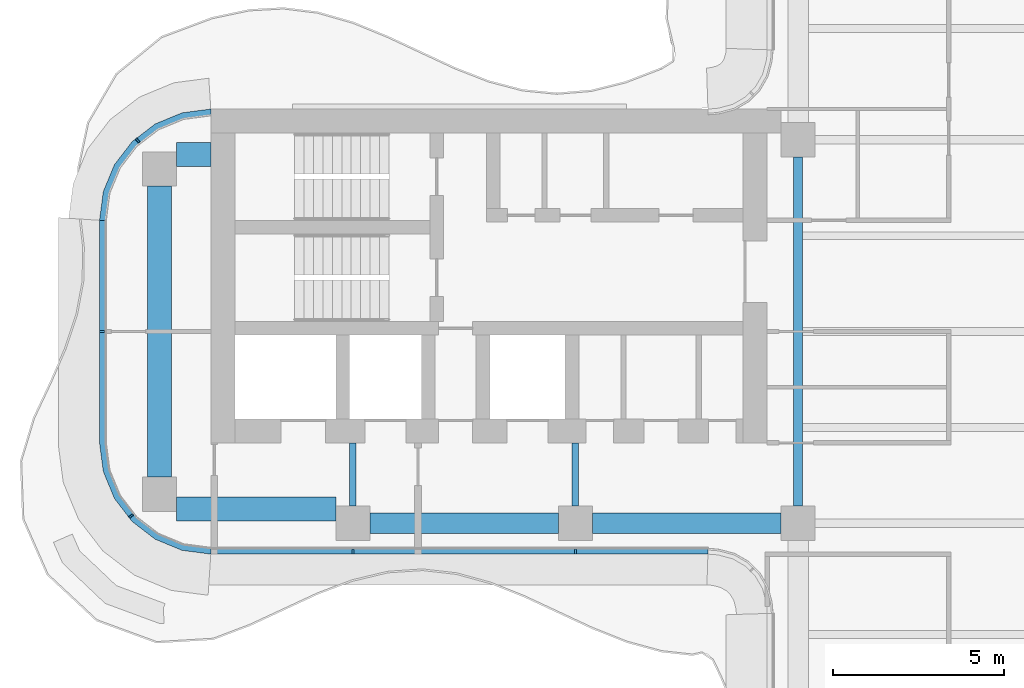
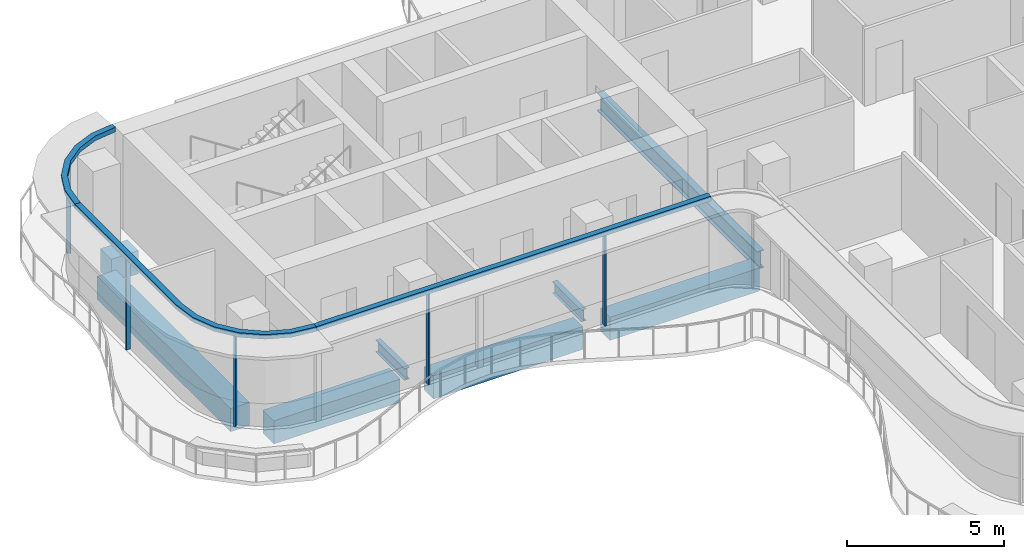
# One storey, part 3 of 16: 8 beams, 8 members, 3 elements without a shape of their own.
"""IFC4 building model written with IfcOpenShell, lengths in metres."""

from ifc_helpers import new_model, si_unit, direction, frame, origin, origin_2d, place, context, subcontext, project, spatial, polyline, rectangle, i_section, outline, extrude, source, transform, mapped, material, layer, layer_set, material_profile, profile_set, type_object, element, aggregate, save


model = new_model("IFC4")

# Units and contexts
model_context = context("Model", 3, precision=1e-05, world=origin(), true_north=direction((0.0, 1.0)))
body_context = subcontext(model_context, "Body", "Model", "MODEL_VIEW")
ifc_project = project(units=[si_unit("LENGTHUNIT", "METRE"), si_unit("AREAUNIT", "SQUARE_METRE"), si_unit("VOLUMEUNIT", "CUBIC_METRE"), si_unit("PLANEANGLEUNIT", "RADIAN"), si_unit("MASSUNIT", "GRAM", prefix="KILO")], contexts=[model_context])

# Site, building, storey
site_placement = place(None, origin())
site = spatial("IfcSite", under=ifc_project, at=site_placement, CompositionType="ELEMENT")
building_placement = place(site_placement, origin())
building = spatial("IfcBuilding", under=site, at=building_placement, Name="Trellis Farm Tower", CompositionType="ELEMENT")
storey_placement = place(building_placement, frame((0.0, 0.0, 291.10009765625)))
storey = spatial("IfcBuildingStorey", under=building, at=storey_placement, Name="L65", CompositionType="ELEMENT", Elevation=291.10009765625)

# Beams
ifc_material_1 = material(Name="Steel S355", Category="steel")
ifc_material_profile_1 = material_profile(ifc_material_1, i_section(OverallWidth=0.253662109375, OverallDepth=0.68359375, WebThickness=0.012451171875, FlangeThickness=0.021728515625, FilletRadius=0.01513671875, at=origin_2d()), Name="UB 686x254x140")
ifc_profile_set_1 = profile_set([ifc_material_profile_1], Name="Steel S355")
beam_type_1 = type_object("IfcBeamType", Name="UB 686x254x140", PredefinedType="BEAM", material=ifc_profile_set_1)
shared_shape_1 = source(origin(), body_context, "Body", "SweptSolid", [
    extrude(i_section(OverallWidth=0.253662109375, OverallDepth=0.68359375, WebThickness=0.012451171875, FlangeThickness=0.021728515625, FilletRadius=0.01513671875, at=origin_2d()), origin(), (0.0, 0.0, 1.0), 10.2001953125),
])
beam_1_placement = place(storey_placement, frame((-5.60009765625, -5.10009765625, -0.541748046875), z_axis=(0.0, 1.0, 0.0), x_axis=(-1.0, 0.0, 0.0)))
element("IfcBeam", 1, at=beam_1_placement, inside=storey, type_object=beam_type_1, Name="Girder", PredefinedType="BEAM", context=body_context, shape_type="MappedRepresentation", body=[
    mapped(shared_shape_1, transform((0.0, 0.0, 0.0))),
])
ifc_material_profile_2 = material_profile(ifc_material_1, i_section(OverallWidth=0.1904296875, OverallDepth=0.45703125, WebThickness=0.009033203125, FlangeThickness=0.014404296875, FilletRadius=0.01025390625, at=origin_2d()), Name="UB 457x191x74")
ifc_profile_set_2 = profile_set([ifc_material_profile_2], Name="Steel S355")
beam_type_2 = type_object("IfcBeamType", Name="UB 457x191x74", PredefinedType="BEAM", material=ifc_profile_set_2)
shared_shape_2 = source(origin(), body_context, "Body", "SweptSolid", [
    extrude(i_section(OverallWidth=0.1904296875, OverallDepth=0.45703125, WebThickness=0.009033203125, FlangeThickness=0.014404296875, FilletRadius=0.01025390625, at=origin_2d()), origin(), (0.0, 0.0, 1.0), 1.85009765625),
])
for number, where, z_axis, x_axis, name in (
    (2, (-18.60009765625, -5.10009765625, -0.4287109375), (0.0, 1.0, 0.0), (-1.0, 0.0, 0.0), "Girder"),
    (3, (-12.10009765625, -5.10009765625, -0.4287109375), (0.0, 1.0, 0.0), (-1.0, 0.0, 0.0), "Girder"),
):
    element("IfcBeam", number, at=place(storey_placement, frame(where, z_axis=z_axis, x_axis=x_axis)), inside=storey, type_object=beam_type_2, Name=name, PredefinedType="BEAM", context=body_context, shape_type="MappedRepresentation", body=[
        mapped(shared_shape_2, transform((0.0, 0.0, 0.0))),
    ])
ifc_material_2 = material(Name="Concrete C60/75", Category="concrete")
ifc_material_profile_3 = material_profile(ifc_material_2, rectangle(XDim=0.60009765625, YDim=0.89990234375, at=origin_2d()), Name="RC spandrel beam 600x900 C60/75")
ifc_profile_set_3 = profile_set([ifc_material_profile_3], Name="Concrete C60/75")
beam_type_3 = type_object("IfcBeamType", Name="RC spandrel beam 600x900 C60/75", PredefinedType="SPANDREL", material=ifc_profile_set_3)
shared_shape_3 = source(origin(), body_context, "Body", "SweptSolid", [
    extrude(rectangle(XDim=0.60009765625, YDim=0.89990234375, at=origin_2d()), origin(), (0.0, 0.0, 1.0), 5.5),
])
for number, where, z_axis, x_axis, name in (
    (4, (-18.10009765625, -5.60009765625, -0.650146484375), (1.0, 0.0, 0.0), (0.0, 1.0, 0.0), "Girder"),
    (5, (-11.60009765625, -5.60009765625, -0.650146484375), (1.0, 0.0, 0.0), (0.0, 1.0, 0.0), "Girder"),
):
    element("IfcBeam", number, at=place(storey_placement, frame(where, z_axis=z_axis, x_axis=x_axis)), inside=storey, type_object=beam_type_3, Name=name, PredefinedType="SPANDREL", context=body_context, shape_type="MappedRepresentation", body=[
        mapped(shared_shape_3, transform((0.0, 0.0, 0.0))),
    ])
ifc_material_profile_4 = material_profile(ifc_material_2, rectangle(XDim=0.699951171875, YDim=0.89990234375, at=origin_2d()), Name="RC spandrel beam 700x900 C60/75")
ifc_profile_set_4 = profile_set([ifc_material_profile_4], Name="Concrete C60/75")
beam_type_4 = type_object("IfcBeamType", Name="RC spandrel beam 700x900 C60/75", PredefinedType="SPANDREL", material=ifc_profile_set_4)
shared_shape_4 = source(origin(), body_context, "Body", "SweptSolid", [
    extrude(rectangle(XDim=0.699951171875, YDim=0.89990234375, at=origin_2d()), origin(), (0.0, 0.0, 1.0), 1.0),
])
beam_2_placement = place(storey_placement, frame((-23.75, 5.175048828125, -0.650146484375), z_axis=(1.0, 0.0, 0.0), x_axis=(0.0, 1.0, 0.0)))
element("IfcBeam", 6, at=beam_2_placement, inside=storey, type_object=beam_type_4, Name="Girder", PredefinedType="SPANDREL", context=body_context, shape_type="MappedRepresentation", body=[
    mapped(shared_shape_4, transform((0.0, 0.0, 0.0))),
])
shared_shape_5 = source(origin(), body_context, "Body", "SweptSolid", [
    extrude(rectangle(XDim=0.699951171875, YDim=0.89990234375, at=origin_2d()), origin(), (0.0, 0.0, 1.0), 4.64990234375),
])
beam_3_placement = place(storey_placement, frame((-23.75, -5.175048828125, -0.650146484375), z_axis=(1.0, 0.0, 0.0), x_axis=(0.0, 1.0, 0.0)))
element("IfcBeam", 7, at=beam_3_placement, inside=storey, type_object=beam_type_4, Name="Girder", PredefinedType="SPANDREL", context=body_context, shape_type="MappedRepresentation", body=[
    mapped(shared_shape_5, transform((0.0, 0.0, 0.0))),
])
shared_shape_6 = source(origin(), body_context, "Body", "SweptSolid", [
    extrude(rectangle(XDim=0.699951171875, YDim=0.89990234375, at=origin_2d()), origin(), (0.0, 0.0, 1.0), 8.5),
])
beam_4_placement = place(storey_placement, frame((-24.25, -4.25, -0.650146484375), z_axis=(0.0, 1.0, 0.0), x_axis=(-1.0, 0.0, 0.0)))
element("IfcBeam", 8, at=beam_4_placement, inside=storey, type_object=beam_type_4, Name="Girder", PredefinedType="SPANDREL", context=body_context, shape_type="MappedRepresentation", body=[
    mapped(shared_shape_6, transform((0.0, 0.0, 0.0))),
])

# Curtain wall, members
ifc_material_3 = material(Name="Aluminium and glass curtain wall", Category="aluminium")
ifc_layer_1 = layer(ifc_material_3, 0.18994140625)
ifc_layer_set_1 = layer_set([ifc_layer_1], Name="RIBBON CURTAIN WALL CW1")
curtain_wall_type = type_object("IfcCurtainWallType", Name="RIBBON CURTAIN WALL CW1", PredefinedType="NOTDEFINED", material=ifc_layer_set_1)
placement_1 = place(storey_placement, origin())
curtain_wall_1 = element("IfcCurtainWall", 9, at=placement_1, inside=storey, type_object=curtain_wall_type, Name="CW1 001", PredefinedType="NOTDEFINED")
ifc_material_4 = material(Name="Aluminium extrusion 6063-T6", Category="aluminium")
ifc_material_profile_5 = material_profile(ifc_material_4, rectangle(XDim=0.06005859375, YDim=0.14990234375, at=origin_2d()), Name="MULLION 60x150")
ifc_profile_set_5 = profile_set([ifc_material_profile_5], Name="Aluminium extrusion 6063-T6")
member_type_1 = type_object("IfcMemberType", Name="CW1 MULLION 60x150", PredefinedType="MULLION", material=ifc_profile_set_5)
shared_shape_7 = source(origin(), body_context, "Body", "SweptSolid", [
    extrude(rectangle(XDim=0.06005859375, YDim=0.14990234375, at=origin_2d()), origin(), (0.0, 0.0, 1.0), 3.52001953125),
])
member_1_placement = place(storey_placement, frame((-18.60009765625, -6.425048828125, 0.0), z_axis=(0.0, 0.0, 1.0), x_axis=(1.0, 0.0, 0.0)))
member_1 = element("IfcMember", 10, at=member_1_placement, type_object=member_type_1, Name="MU1 001-01", PredefinedType="MULLION", context=body_context, shape_type="MappedRepresentation", body=[
    mapped(shared_shape_7, transform((0.0, 0.0, 0.0))),
])
member_2_placement = place(storey_placement, frame((-12.10009765625, -6.425048828125, 0.0), z_axis=(0.0, 0.0, 1.0), x_axis=(1.0, 0.0, 0.0)))
member_2 = element("IfcMember", 11, at=member_2_placement, type_object=member_type_1, Name="MU1 001-02", PredefinedType="MULLION", context=body_context, shape_type="MappedRepresentation", body=[
    mapped(shared_shape_7, transform((0.0, 0.0, 0.0))),
])

# Curtain wall, member
curtain_wall_2 = element("IfcCurtainWall", 12, at=placement_1, inside=storey, type_object=curtain_wall_type, Name="CW1 012", PredefinedType="NOTDEFINED")
member_3_placement = place(storey_placement, frame((-24.885498046875, 5.578369140625, 0.0), z_axis=(0.0, 0.0, 1.0), x_axis=(-0.793353340291, -0.608761429009, 0.0)))
member_3 = element("IfcMember", 13, at=member_3_placement, type_object=member_type_1, Name="MU1 012-01", PredefinedType="MULLION", context=body_context, shape_type="MappedRepresentation", body=[
    mapped(shared_shape_7, transform((0.0, 0.0, 0.0))),
])

# Curtain wall, members
curtain_wall_3 = element("IfcCurtainWall", 14, at=placement_1, inside=storey, type_object=curtain_wall_type, Name="CW1 013", PredefinedType="NOTDEFINED")
member_4_placement = place(storey_placement, frame((-25.925048828125, 0.0, 0.0), z_axis=(0.0, 0.0, 1.0), x_axis=(0.0, -1.0, 0.0)))
member_4 = element("IfcMember", 15, at=member_4_placement, type_object=member_type_1, Name="MU1 013-01", PredefinedType="MULLION", context=body_context, shape_type="MappedRepresentation", body=[
    mapped(shared_shape_7, transform((0.0, 0.0, 0.0))),
])
member_5_placement = place(storey_placement, frame((-25.078369140625, -5.385498046875, 0.0), z_axis=(0.0, 0.0, 1.0), x_axis=(0.608761429009, -0.793353340291, 0.0)))
member_5 = element("IfcMember", 16, at=member_5_placement, type_object=member_type_1, Name="MU1 013-02", PredefinedType="MULLION", context=body_context, shape_type="MappedRepresentation", body=[
    mapped(shared_shape_7, transform((0.0, 0.0, 0.0))),
])

# Member
ifc_layer_2 = layer(ifc_material_4, 0.199951171875)
ifc_layer_set_2 = layer_set([ifc_layer_2], Name="Aluminium extrusion 6063-T6")
member_type_2 = type_object("IfcMemberType", Name="CW1 TRANSOM 200x180", PredefinedType="USERDEFINED", material=ifc_layer_set_2)
shared_shape_8 = source(origin(), body_context, "Body", "SweptSolid", [
    extrude(outline(polyline([(-22.75, -6.5), (-8.2314453125, -6.5), (-8.224853515625, -6.300048828125), (-22.73681640625, -6.300048828125), (-22.75, -6.5)])), origin(), (0.0, 0.0, 1.0), 0.179931640625),
])
placement_2 = place(storey_placement, frame((0.0, 0.0, 3.52001953125)))
member_6 = element("IfcMember", 17, at=placement_2, type_object=member_type_2, Name="TR1 001", ObjectType="TRANSOM", PredefinedType="USERDEFINED", context=body_context, shape_type="MappedRepresentation", body=[
    mapped(shared_shape_8, transform((0.0, 0.0, 0.0))),
])

aggregate(curtain_wall_1, [member_1, member_2, member_6])

shared_shape_9 = source(origin(), body_context, "Body", "SweptSolid", [
    extrude(outline(polyline([(-22.75, 6.5), (-23.591064453125, 6.38916015625), (-24.375, 6.064697265625), (-25.048095703125, 5.548095703125), (-25.564697265625, 4.875), (-25.88916015625, 4.091064453125), (-26.0, 3.25), (-25.800048828125, 3.23681640625), (-25.6943359375, 4.0390625), (-25.389892578125, 4.774169921875), (-24.905517578125, 5.405517578125), (-24.274169921875, 5.889892578125), (-23.5390625, 6.1943359375), (-22.73681640625, 6.300048828125), (-22.75, 6.5)])), origin(), (0.0, 0.0, 1.0), 0.179931640625),
])
member_7 = element("IfcMember", 18, at=placement_2, type_object=member_type_2, Name="TR1 012", ObjectType="TRANSOM", PredefinedType="USERDEFINED", context=body_context, shape_type="MappedRepresentation", body=[
    mapped(shared_shape_9, transform((0.0, 0.0, 0.0))),
])

aggregate(curtain_wall_2, [member_3, member_7])

shared_shape_10 = source(origin(), body_context, "Body", "SweptSolid", [
    extrude(outline(polyline([(-26.0, 3.25), (-26.0, -3.25), (-25.88916015625, -4.091064453125), (-25.564697265625, -4.875), (-25.048095703125, -5.548095703125), (-24.375, -6.064697265625), (-23.591064453125, -6.38916015625), (-22.75, -6.5), (-22.73681640625, -6.300048828125), (-23.5390625, -6.1943359375), (-24.274169921875, -5.889892578125), (-24.905517578125, -5.405517578125), (-25.389892578125, -4.774169921875), (-25.6943359375, -4.0390625), (-25.800048828125, -3.23681640625), (-25.800048828125, 3.23681640625), (-26.0, 3.25)])), origin(), (0.0, 0.0, 1.0), 0.179931640625),
])
member_8 = element("IfcMember", 19, at=placement_2, type_object=member_type_2, Name="TR1 013", ObjectType="TRANSOM", PredefinedType="USERDEFINED", context=body_context, shape_type="MappedRepresentation", body=[
    mapped(shared_shape_10, transform((0.0, 0.0, 0.0))),
])

aggregate(curtain_wall_3, [member_4, member_5, member_8])

save(model, "model.ifc")
